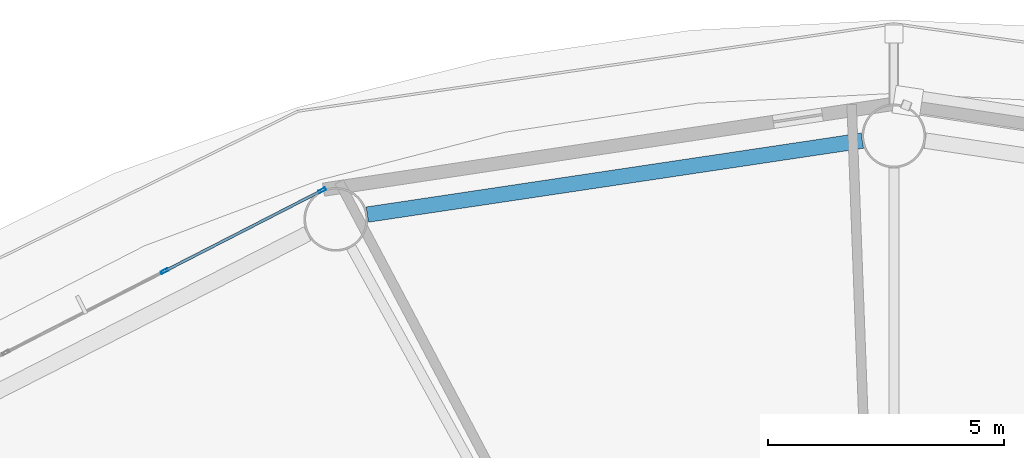
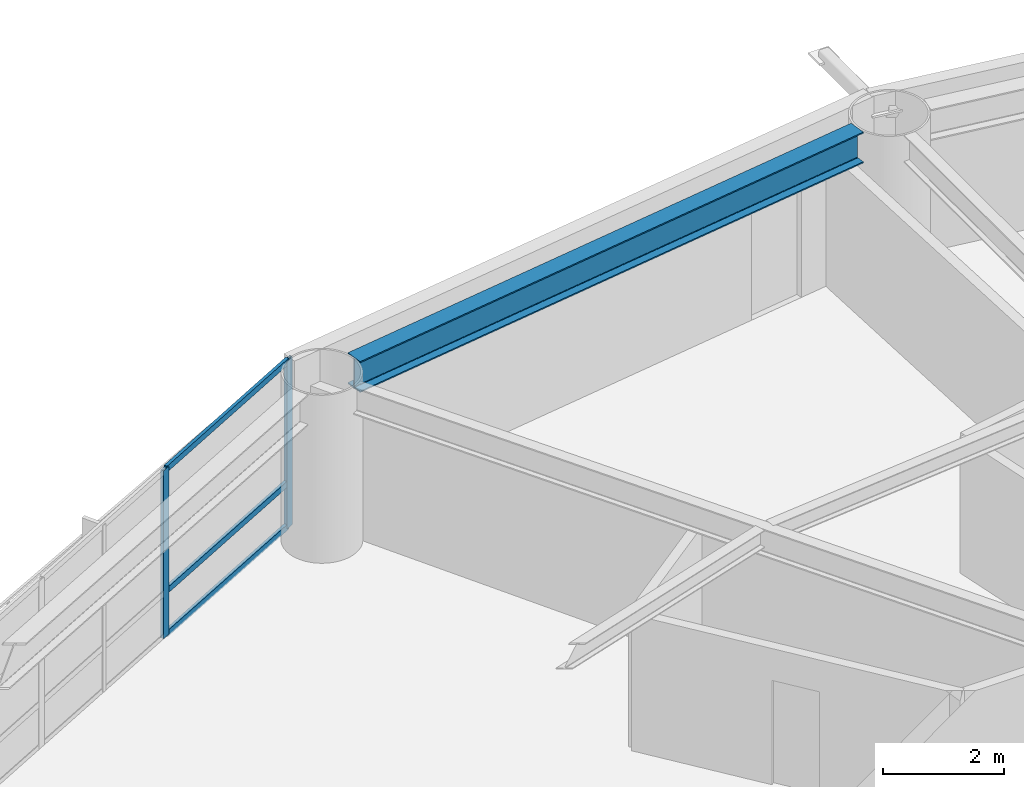
# One storey, part 12 of 26: 5 members, 1 beam, 1 element without a shape of its own.
"""IFC4 building model written with IfcOpenShell, lengths in metres."""

from ifc_helpers import new_model, si_unit, direction, frame, origin, origin_2d, place, context, subcontext, project, spatial, hollow_rectangle, i_section, extrude, material, layer, layer_set, material_profile, profile_set, type_object, element, aggregate, save


model = new_model("IFC4")

# Units and contexts
model_context = context("Model", 3, precision=1e-05, world=origin(), true_north=direction((0.0, 1.0)))
body_context = subcontext(model_context, "Body", "Model", "MODEL_VIEW")
ifc_project = project(units=[si_unit("LENGTHUNIT", "METRE"), si_unit("AREAUNIT", "SQUARE_METRE"), si_unit("VOLUMEUNIT", "CUBIC_METRE"), si_unit("PLANEANGLEUNIT", "RADIAN"), si_unit("MASSUNIT", "GRAM", prefix="KILO")], contexts=[model_context])

# Site, building, storey
site_placement = place(None, origin())
site = spatial("IfcSite", under=ifc_project, at=site_placement, CompositionType="ELEMENT")
building_placement = place(site_placement, origin())
building = spatial("IfcBuilding", under=site, at=building_placement, Name="Sarneth Arch Tower", CompositionType="ELEMENT")
storey_placement = place(building_placement, frame((0.0, 0.0, 46.199951171875)))
storey = spatial("IfcBuildingStorey", under=building, at=storey_placement, Name="L10", CompositionType="ELEMENT", Elevation=46.199951171875)

# Beam
ifc_material_1 = material(Name="Steel S355", Category="steel")
ifc_material_profile_1 = material_profile(ifc_material_1, i_section(OverallWidth=0.326904296875, OverallDepth=0.6220703125, WebThickness=0.015380859375, FlangeThickness=0.0244140625, FilletRadius=0.01904296875, at=origin_2d()), Name="W610x195")
ifc_profile_set_1 = profile_set([ifc_material_profile_1], Name="Steel S355")
beam_type = type_object("IfcBeamType", Name="BM-SPAN-610A", PredefinedType="SPANDREL", material=ifc_profile_set_1)
beam_placement = place(storey_placement, frame((47.33251953125, 65.100341796875, 3.069091796875), z_axis=(-0.989015788086, -0.147809914809, 0.0), x_axis=(0.147809914809, -0.989015788086, 0.0)))
element("IfcBeam", 1, at=beam_placement, inside=storey, type_object=beam_type, Name="L10 Perimeter spandrel beam 05", PredefinedType="SPANDREL", context=body_context, shape_type="SweptSolid", body=[
    extrude(i_section(OverallWidth=0.326904296875, OverallDepth=0.6220703125, WebThickness=0.015380859375, FlangeThickness=0.0244140625, FilletRadius=0.01904296875, at=origin_2d()), origin(), (0.0, 0.0, 1.0), 10.59912109375),
])

# Curtain wall, members
ifc_material_2 = material(Name="Anodised aluminium Type AA25 and solar-control low-e laminated IGU", Category="aluminium")
ifc_layer = layer(ifc_material_2, 0.159912109375)
ifc_layer_set = layer_set([ifc_layer], Name="Anodised aluminium Type AA25 and solar-control low-e laminated IGU")
curtain_wall_type = type_object("IfcCurtainWallType", Name="CW-HOTEL-LOW", PredefinedType="NOTDEFINED", material=ifc_layer_set)
curtain_wall_placement = place(storey_placement, origin())
curtain_wall = element("IfcCurtainWall", 2, at=curtain_wall_placement, inside=storey, type_object=curtain_wall_type, Name="L10 Unitised curtain wall facet 06", PredefinedType="NOTDEFINED")
ifc_material_3 = material(Name="Anodised Aluminium 6063-T6", Category="aluminium")
ifc_material_profile_2 = material_profile(ifc_material_3, hollow_rectangle(XDim=0.06005859375, YDim=0.159912109375, WallThickness=0.00390625, at=origin_2d()), Name="AL-MULL-160x60x4")
ifc_profile_set_2 = profile_set([ifc_material_profile_2], Name="Anodised Aluminium 6063-T6")
member_type_1 = type_object("IfcMemberType", Name="CW-MULLION", PredefinedType="MULLION", material=ifc_profile_set_2)
member_1_placement = place(storey_placement, frame((35.8955078125, 64.048583984375, 0.0), z_axis=(0.0, 0.0, 1.0), x_axis=(0.456245197127, -0.889854100456, 0.0)))
member_1 = element("IfcMember", 3, at=member_1_placement, type_object=member_type_1, Name="CW-SYS-3 mullion 1", PredefinedType="MULLION", context=body_context, shape_type="SweptSolid", body=[
    extrude(hollow_rectangle(XDim=0.06005859375, YDim=0.159912109375, WallThickness=0.00390625, at=origin_2d()), origin(), (0.0, 0.0, 1.0), 3.380126953125),
])
member_2_placement = place(storey_placement, frame((32.556640625, 62.336669921875, 0.0), z_axis=(0.0, 0.0, 1.0), x_axis=(0.456245197127, -0.889854100456, 0.0)))
member_2 = element("IfcMember", 4, at=member_2_placement, type_object=member_type_1, Name="CW-SYS-3 mullion 2", PredefinedType="MULLION", context=body_context, shape_type="SweptSolid", body=[
    extrude(hollow_rectangle(XDim=0.06005859375, YDim=0.159912109375, WallThickness=0.00390625, at=origin_2d()), origin(), (0.0, 0.0, 1.0), 3.380126953125),
])
ifc_material_4 = material(Name="Anodised Aluminium 6063-T6", Category="aluminium")
ifc_material_profile_3 = material_profile(ifc_material_4, hollow_rectangle(XDim=0.06005859375, YDim=0.1201171875, WallThickness=0.00390625, at=origin_2d()), Name="AL-TRAN-120x60x4")
ifc_profile_set_3 = profile_set([ifc_material_profile_3], Name="Anodised Aluminium 6063-T6")
member_type_2 = type_object("IfcMemberType", Name="CW-TRANSOM", PredefinedType="USERDEFINED", material=ifc_profile_set_3)
member_3_placement = place(storey_placement, frame((35.86865234375, 64.034912109375, 0.030029296875), z_axis=(-0.889831232102, -0.456289796485, 0.0), x_axis=(0.456289796485, -0.889831232102, 0.0)))
member_3 = element("IfcMember", 5, at=member_3_placement, type_object=member_type_2, Name="CW-SYS-3 transom 1.1", ObjectType="TRANSOM", PredefinedType="USERDEFINED", context=body_context, shape_type="SweptSolid", body=[
    extrude(hollow_rectangle(XDim=0.06005859375, YDim=0.1201171875, WallThickness=0.00390625, at=origin_2d()), origin(), (0.0, 0.0, 1.0), 3.69189453125),
])
member_4_placement = place(storey_placement, frame((35.86865234375, 64.034912109375, 0.900146484375), z_axis=(-0.889831232102, -0.456289796485, 0.0), x_axis=(0.456289796485, -0.889831232102, 0.0)))
member_4 = element("IfcMember", 6, at=member_4_placement, type_object=member_type_2, Name="CW-SYS-3 transom 1.2", ObjectType="TRANSOM", PredefinedType="USERDEFINED", context=body_context, shape_type="SweptSolid", body=[
    extrude(hollow_rectangle(XDim=0.06005859375, YDim=0.1201171875, WallThickness=0.00390625, at=origin_2d()), origin(), (0.0, 0.0, 1.0), 3.69189453125),
])
member_5_placement = place(storey_placement, frame((35.86865234375, 64.034912109375, 3.35009765625), z_axis=(-0.889831232102, -0.456289796485, 0.0), x_axis=(0.456289796485, -0.889831232102, 0.0)))
member_5 = element("IfcMember", 7, at=member_5_placement, type_object=member_type_2, Name="CW-SYS-3 transom 1.3", ObjectType="TRANSOM", PredefinedType="USERDEFINED", context=body_context, shape_type="SweptSolid", body=[
    extrude(hollow_rectangle(XDim=0.06005859375, YDim=0.1201171875, WallThickness=0.00390625, at=origin_2d()), origin(), (0.0, 0.0, 1.0), 3.69189453125),
])
aggregate(curtain_wall, [member_1, member_2, member_3, member_4, member_5])

save(model, "model.ifc")
